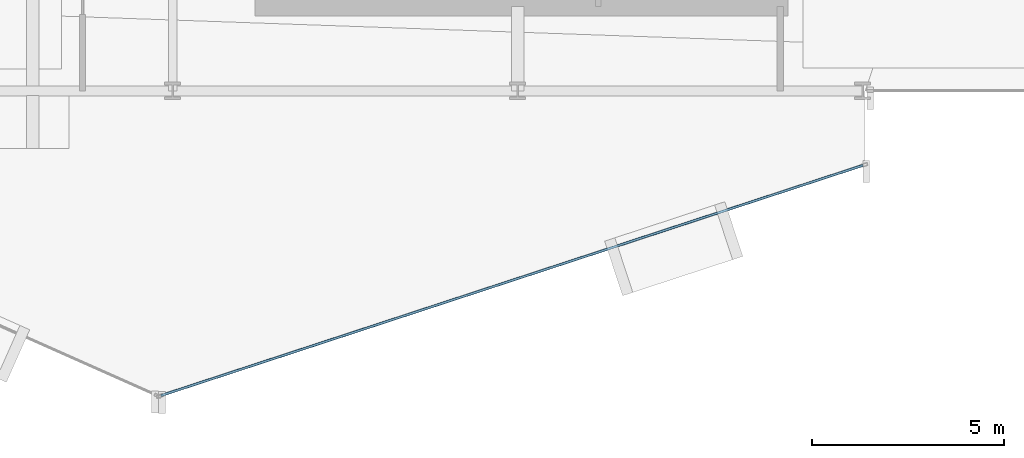
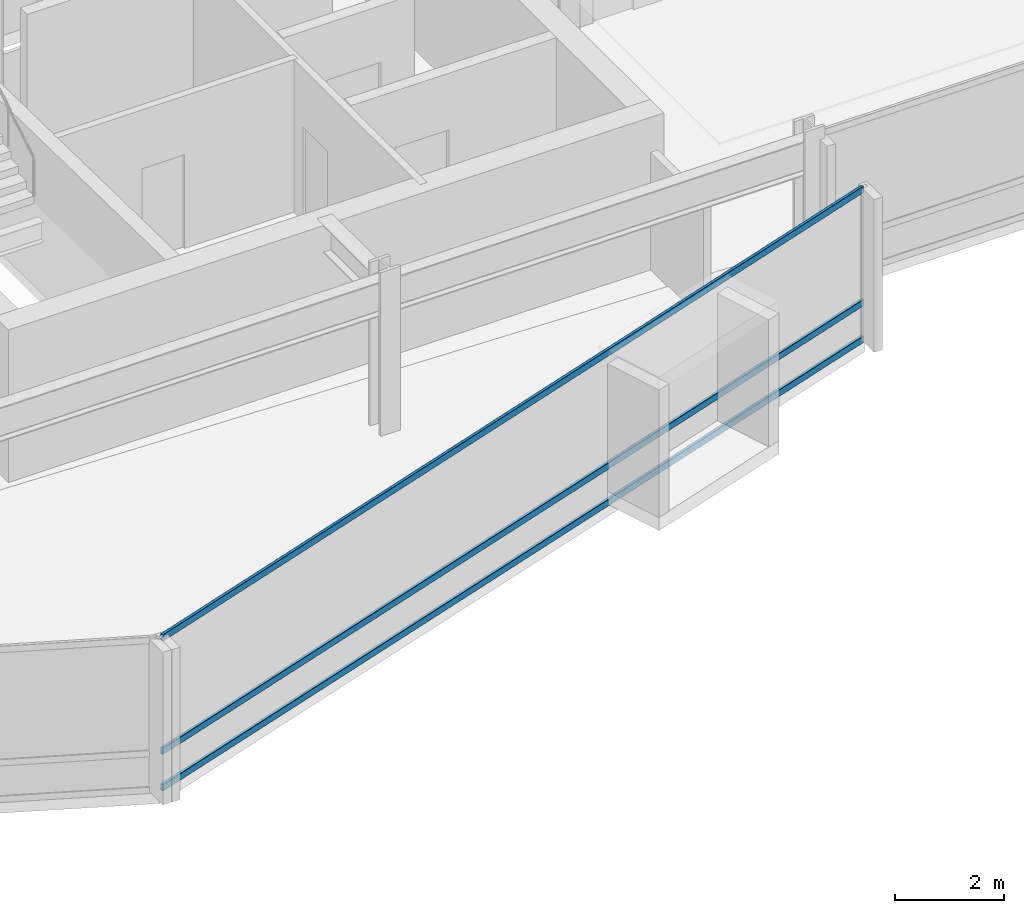
# One storey, part 9 of 29: 3 members, 1 element without a shape of its own.
"""IFC4 building model written with IfcOpenShell, lengths in metres."""

from ifc_helpers import new_model, si_unit, direction, frame, origin, origin_2d, place, context, subcontext, project, spatial, hollow_rectangle, extrude, material, layer, layer_set, material_profile, profile_set, type_object, element, aggregate, save


model = new_model("IFC4")

# Units and contexts
model_context = context("Model", 3, precision=1e-05, world=origin(), true_north=direction((0.0, 1.0)))
body_context = subcontext(model_context, "Body", "Model", "MODEL_VIEW")
ifc_project = project(units=[si_unit("LENGTHUNIT", "METRE"), si_unit("AREAUNIT", "SQUARE_METRE"), si_unit("VOLUMEUNIT", "CUBIC_METRE"), si_unit("PLANEANGLEUNIT", "RADIAN"), si_unit("MASSUNIT", "GRAM", prefix="KILO")], contexts=[model_context])

# Site, building, storey
site_placement = place(None, origin())
site = spatial("IfcSite", under=ifc_project, at=site_placement, CompositionType="ELEMENT")
building_placement = place(site_placement, origin())
building = spatial("IfcBuilding", under=site, at=building_placement, Name="Solvaryn Broadcast Tower", CompositionType="ELEMENT")
storey_placement = place(building_placement, frame((0.0, 0.0, 128.5)))
storey = spatial("IfcBuildingStorey", under=building, at=storey_placement, Name="L31", CompositionType="ELEMENT", Elevation=128.5)

# Curtain wall, members
ifc_material_1 = material(Name="Aluminium and Terracotta Unitised Curtain Wall", Category="masonry")
ifc_layer = layer(ifc_material_1, 0.199951171875)
ifc_layer_set = layer_set([ifc_layer], Name="CW-SYS2-LOWMID")
curtain_wall_type = type_object("IfcCurtainWallType", Name="CW-SYS2-LOWMID", PredefinedType="NOTDEFINED", material=ifc_layer_set)
curtain_wall_placement = place(storey_placement, origin())
curtain_wall = element("IfcCurtainWall", 1, at=curtain_wall_placement, inside=storey, type_object=curtain_wall_type, Name="L31 Curtain Wall DR4", PredefinedType="NOTDEFINED")
ifc_material_2 = material(Name="Anodised Aluminium 6063-T6", Category="aluminium")
ifc_material_profile = material_profile(ifc_material_2, hollow_rectangle(XDim=0.06494140625, YDim=0.14990234375, WallThickness=0.00390625, InnerFilletRadius=0.00390625, OuterFilletRadius=0.008056640625, at=origin_2d()))
ifc_profile_set = profile_set([ifc_material_profile], Name="Anodised Aluminium 6063-T6")
member_type = type_object("IfcMemberType", Name="CW-TRN-150", PredefinedType="USERDEFINED", material=ifc_profile_set)
member_1_placement = place(storey_placement, frame((26.693115234375, 1.052734375, 0.030029296875), z_axis=(0.950198373323, 0.31164571445, 0.0), x_axis=(-0.31164571445, 0.950198373323, 0.0)))
member_1 = element("IfcMember", 2, at=member_1_placement, type_object=member_type, Name="CWS2 transom 1.1", ObjectType="TRANSOM", PredefinedType="USERDEFINED", context=body_context, shape_type="SweptSolid", body=[
    extrude(hollow_rectangle(XDim=0.06494140625, YDim=0.14990234375, WallThickness=0.00390625, InnerFilletRadius=0.00390625, OuterFilletRadius=0.008056640625, at=origin_2d()), origin(), (0.0, 0.0, 1.0), 19.27685546875),
])
member_2_placement = place(storey_placement, frame((26.693115234375, 1.052734375, 0.85009765625), z_axis=(0.950198373323, 0.31164571445, 0.0), x_axis=(-0.31164571445, 0.950198373323, 0.0)))
member_2 = element("IfcMember", 3, at=member_2_placement, type_object=member_type, Name="CWS2 transom 1.2", ObjectType="TRANSOM", PredefinedType="USERDEFINED", context=body_context, shape_type="SweptSolid", body=[
    extrude(hollow_rectangle(XDim=0.06494140625, YDim=0.14990234375, WallThickness=0.00390625, InnerFilletRadius=0.00390625, OuterFilletRadius=0.008056640625, at=origin_2d()), origin(), (0.0, 0.0, 1.0), 19.27685546875),
])
member_3_placement = place(storey_placement, frame((26.693115234375, 1.052734375, 3.389892578125), z_axis=(0.950198373323, 0.31164571445, 0.0), x_axis=(-0.31164571445, 0.950198373323, 0.0)))
member_3 = element("IfcMember", 4, at=member_3_placement, type_object=member_type, Name="CWS2 transom 1.3", ObjectType="TRANSOM", PredefinedType="USERDEFINED", context=body_context, shape_type="SweptSolid", body=[
    extrude(hollow_rectangle(XDim=0.06494140625, YDim=0.14990234375, WallThickness=0.00390625, InnerFilletRadius=0.00390625, OuterFilletRadius=0.008056640625, at=origin_2d()), origin(), (0.0, 0.0, 1.0), 19.27685546875),
])
aggregate(curtain_wall, [member_1, member_2, member_3])

save(model, "model.ifc")
